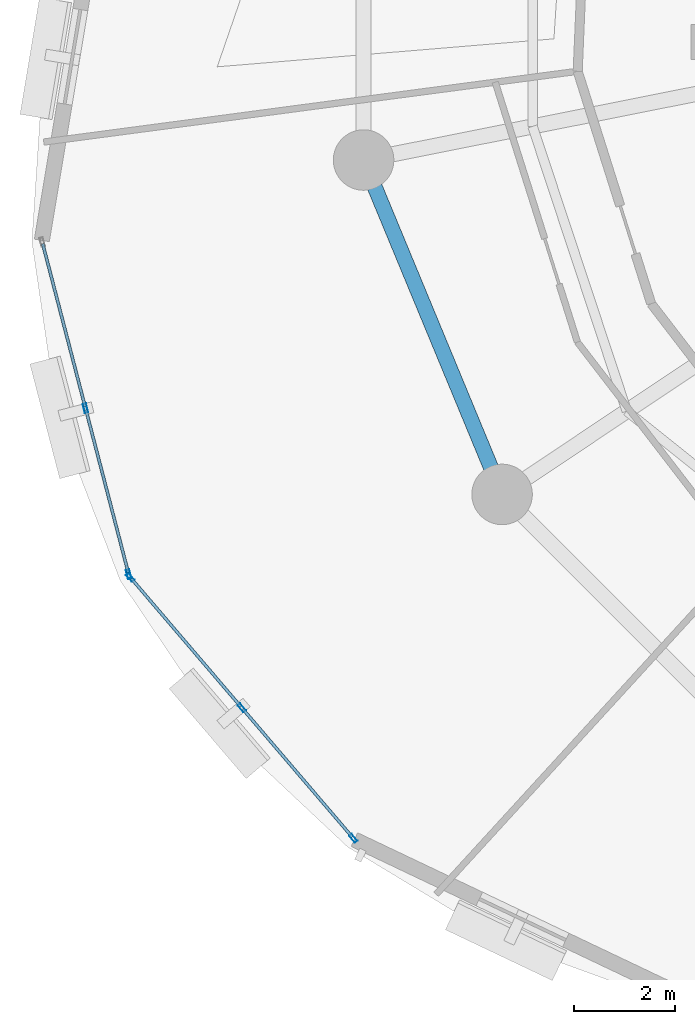
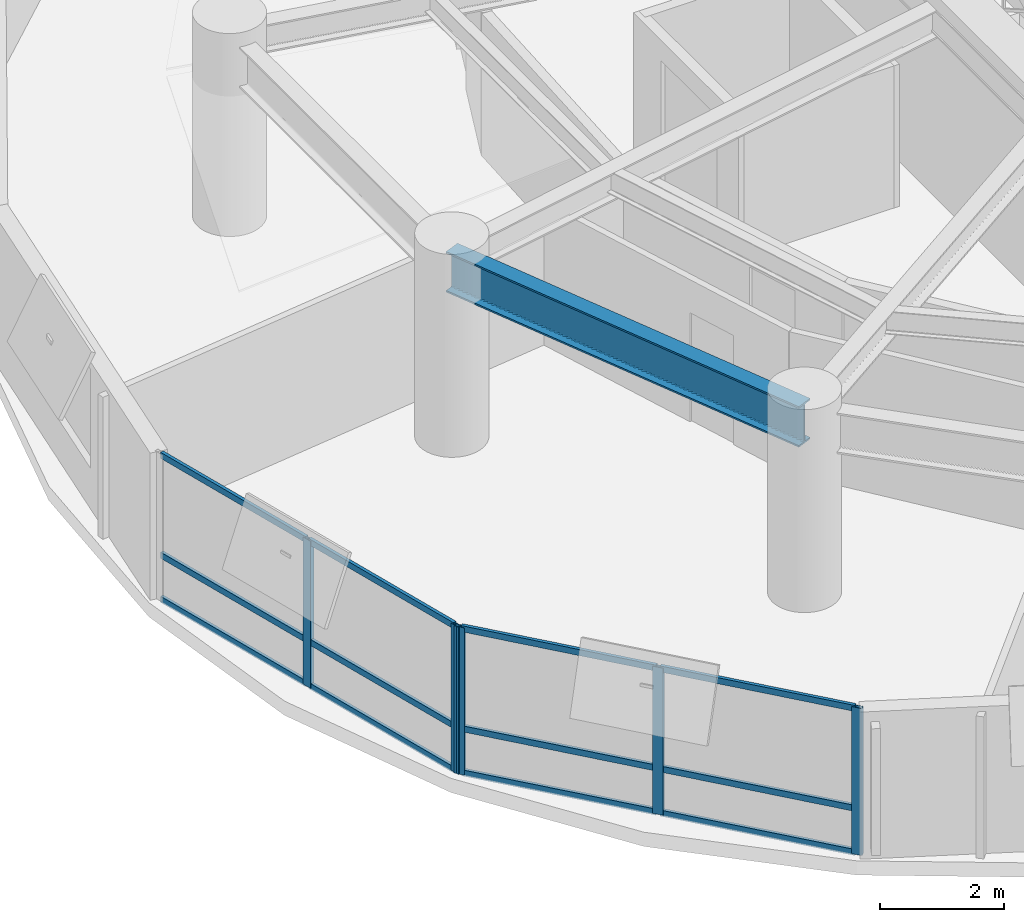
# One storey, part 2 of 14: 17 members, 1 beam, 2 elements without a shape of their own.
"""IFC4 building model written with IfcOpenShell, lengths in metres."""

from ifc_helpers import new_model, si_unit, direction, frame, origin, origin_2d, place, context, subcontext, project, spatial, hollow_rectangle, i_section, extrude, material, layer, layer_set, material_profile, profile_set, type_object, element, aggregate, save


model = new_model("IFC4")

# Units and contexts
model_context = context("Model", 3, precision=1e-05, world=origin(), true_north=direction((0.0, 1.0)))
body_context = subcontext(model_context, "Body", "Model", "MODEL_VIEW")
ifc_project = project(units=[si_unit("LENGTHUNIT", "METRE"), si_unit("AREAUNIT", "SQUARE_METRE"), si_unit("VOLUMEUNIT", "CUBIC_METRE"), si_unit("PLANEANGLEUNIT", "RADIAN"), si_unit("MASSUNIT", "GRAM", prefix="KILO"), si_unit("THERMODYNAMICTEMPERATUREUNIT", "KELVIN"), si_unit("POWERUNIT", "WATT")], contexts=[model_context])

# Site, building, storey
site_placement = place(None, origin())
site = spatial("IfcSite", under=ifc_project, at=site_placement, CompositionType="ELEMENT")
building_placement = place(site_placement, origin())
building = spatial("IfcBuilding", under=site, at=building_placement, Name="Ocrelia Relay Tower", CompositionType="ELEMENT")
storey_placement = place(building_placement, frame((0.0, 0.0, 149.800048828125)))
storey = spatial("IfcBuildingStorey", under=building, at=storey_placement, Name="L35", CompositionType="ELEMENT", Elevation=149.800048828125)

# Beam
ifc_material_1 = material(Name="Steel S355", Category="steel")
ifc_material_profile_1 = material_profile(ifc_material_1, i_section(OverallWidth=0.300048828125, OverallDepth=0.800048828125, WebThickness=0.017578125, FlangeThickness=0.032958984375, FilletRadius=0.030029296875, at=origin_2d()), Name="HEB 800")
ifc_profile_set_1 = profile_set([ifc_material_profile_1], Name="Steel S355")
beam_type = type_object("IfcBeamType", Name="BM-HEB800", PredefinedType="BEAM", material=ifc_profile_set_1)
beam_placement = place(storey_placement, frame((15.95361328125, 22.410400390625, 3.320068359375), z_axis=(0.382673155247, -0.923883789366, 0.0), x_axis=(0.923883789366, 0.382673155247, 0.0)))
element("IfcBeam", 1, at=beam_placement, inside=storey, type_object=beam_type, Name="L35 Perimeter Spandrel Beam S09", PredefinedType="BEAM", context=body_context, shape_type="SweptSolid", body=[
    extrude(i_section(OverallWidth=0.300048828125, OverallDepth=0.800048828125, WebThickness=0.017578125, FlangeThickness=0.032958984375, FilletRadius=0.030029296875, at=origin_2d()), origin(), (0.0, 0.0, 1.0), 7.17919921875),
])

# Curtain wall, members
ifc_material_2 = material(Name="Aluminium and solar-control low-E glass", Category="aluminium")
ifc_layer = layer(ifc_material_2, 0.179931640625, Name="Aluminium and solar-control low-E glass")
ifc_layer_set = layer_set([ifc_layer], Name="Aluminium and solar-control low-E glass")
curtain_wall_type = type_object("IfcCurtainWallType", Name="CW-SYS-Z2-SWIT", PredefinedType="NOTDEFINED", material=ifc_layer_set)
curtain_wall_1_placement = place(storey_placement, origin())
curtain_wall_1 = element("IfcCurtainWall", 2, at=curtain_wall_1_placement, inside=storey, type_object=curtain_wall_type, Name="L35 Elliptical Tower Curtain Wall Bay 09", PredefinedType="NOTDEFINED")
ifc_material_3 = material(Name="Anodised bronze aluminium", Category="aluminium")
ifc_material_profile_2 = material_profile(ifc_material_3, hollow_rectangle(XDim=0.070068359375, YDim=0.179931640625, WallThickness=0.006103515625, at=origin_2d()), Name="CW-MUL-180x70")
ifc_profile_set_2 = profile_set([ifc_material_profile_2], Name="Anodised bronze aluminium")
member_type_1 = type_object("IfcMemberType", Name="CW-SYS-Z2-SWIT-MUL", PredefinedType="MULLION", material=ifc_profile_set_2)
member_1_placement = place(storey_placement, frame((10.43701171875, 17.48828125, 0.0), z_axis=(0.0, 0.0, 1.0), x_axis=(0.967796870511, 0.251732432216, 0.0)))
member_1 = element("IfcMember", 3, at=member_1_placement, type_object=member_type_1, Name="CW-Z2 mullion 2", PredefinedType="MULLION", context=body_context, shape_type="SweptSolid", body=[
    extrude(hollow_rectangle(XDim=0.070068359375, YDim=0.179931640625, WallThickness=0.006103515625, at=origin_2d()), origin(), (0.0, 0.0, 1.0), 2.89990234375),
])
member_2_placement = place(storey_placement, frame((11.2939453125, 14.193359375, 0.0), z_axis=(0.0, 0.0, 1.0), x_axis=(0.967796870511, 0.251732432216, 0.0)))
member_2 = element("IfcMember", 4, at=member_2_placement, type_object=member_type_1, Name="CW-Z2 mullion 3", PredefinedType="MULLION", context=body_context, shape_type="SweptSolid", body=[
    extrude(hollow_rectangle(XDim=0.070068359375, YDim=0.179931640625, WallThickness=0.006103515625, at=origin_2d()), origin(), (0.0, 0.0, 1.0), 2.89990234375),
])

curtain_wall_2_placement = place(storey_placement, origin())
curtain_wall_2 = element("IfcCurtainWall", 5, at=curtain_wall_2_placement, inside=storey, type_object=curtain_wall_type, Name="L35 Elliptical Tower Curtain Wall Bay 10", PredefinedType="NOTDEFINED")
member_3_placement = place(storey_placement, frame((11.325439453125, 14.1328125, 0.0), z_axis=(0.0, 0.0, 1.0), x_axis=(0.760185496436, 0.649706095868, 0.0)))
member_3 = element("IfcMember", 6, at=member_3_placement, type_object=member_type_1, Name="CW-Z2 mullion 1", PredefinedType="MULLION", context=body_context, shape_type="SweptSolid", body=[
    extrude(hollow_rectangle(XDim=0.070068359375, YDim=0.179931640625, WallThickness=0.006103515625, at=origin_2d()), origin(), (0.0, 0.0, 1.0), 2.89990234375),
])
member_4_placement = place(storey_placement, frame((13.53759765625, 11.544677734375, 0.0), z_axis=(0.0, 0.0, 1.0), x_axis=(0.760185496436, 0.649706095868, 0.0)))
member_4 = element("IfcMember", 7, at=member_4_placement, type_object=member_type_1, Name="CW-Z2 mullion 2", PredefinedType="MULLION", context=body_context, shape_type="SweptSolid", body=[
    extrude(hollow_rectangle(XDim=0.070068359375, YDim=0.179931640625, WallThickness=0.006103515625, at=origin_2d()), origin(), (0.0, 0.0, 1.0), 2.89990234375),
])
member_5_placement = place(storey_placement, frame((15.74951171875, 8.95654296875, 0.0), z_axis=(0.0, 0.0, 1.0), x_axis=(0.760185496436, 0.649706095868, 0.0)))
member_5 = element("IfcMember", 8, at=member_5_placement, type_object=member_type_1, Name="CW-Z2 mullion 3", PredefinedType="MULLION", context=body_context, shape_type="SweptSolid", body=[
    extrude(hollow_rectangle(XDim=0.070068359375, YDim=0.179931640625, WallThickness=0.006103515625, at=origin_2d()), origin(), (0.0, 0.0, 1.0), 2.89990234375),
])

# Member
ifc_material_profile_3 = material_profile(ifc_material_3, hollow_rectangle(XDim=0.06005859375, YDim=0.1201171875, WallThickness=0.0048828125, at=origin_2d()), Name="CW-TRN-120x60")
ifc_profile_set_3 = profile_set([ifc_material_profile_3], Name="Anodised bronze aluminium")
member_type_2 = type_object("IfcMemberType", Name="CW-SYS-Z2-SWIT-TRN", PredefinedType="USERDEFINED", material=ifc_profile_set_3)
member_6_placement = place(storey_placement, frame((9.588623046875, 20.749267578125, 0.030029296875), z_axis=(0.251775115616, -0.96778576718, 0.0), x_axis=(0.96778576718, 0.251775115616, 0.0)))
member_6 = element("IfcMember", 9, at=member_6_placement, type_object=member_type_2, Name="CW-Z2 transom 1.1", ObjectType="TRANSOM", PredefinedType="USERDEFINED", context=body_context, shape_type="SweptSolid", body=[
    extrude(hollow_rectangle(XDim=0.06005859375, YDim=0.1201171875, WallThickness=0.0048828125, at=origin_2d()), origin(), (0.0, 0.0, 1.0), 3.334716796875),
])

member_7_placement = place(storey_placement, frame((9.588623046875, 20.749267578125, 0.89990234375), z_axis=(0.251775115616, -0.96778576718, 0.0), x_axis=(0.96778576718, 0.251775115616, 0.0)))
member_7 = element("IfcMember", 10, at=member_7_placement, type_object=member_type_2, Name="CW-Z2 transom 1.2", ObjectType="TRANSOM", PredefinedType="USERDEFINED", context=body_context, shape_type="SweptSolid", body=[
    extrude(hollow_rectangle(XDim=0.06005859375, YDim=0.1201171875, WallThickness=0.0048828125, at=origin_2d()), origin(), (0.0, 0.0, 1.0), 3.334716796875),
])

member_8_placement = place(storey_placement, frame((9.588623046875, 20.749267578125, 2.869873046875), z_axis=(0.251775115616, -0.96778576718, 0.0), x_axis=(0.96778576718, 0.251775115616, 0.0)))
member_8 = element("IfcMember", 11, at=member_8_placement, type_object=member_type_2, Name="CW-Z2 transom 1.3", ObjectType="TRANSOM", PredefinedType="USERDEFINED", context=body_context, shape_type="SweptSolid", body=[
    extrude(hollow_rectangle(XDim=0.06005859375, YDim=0.1201171875, WallThickness=0.0048828125, at=origin_2d()), origin(), (0.0, 0.0, 1.0), 3.334716796875),
])

member_9_placement = place(storey_placement, frame((10.44580078125, 17.454345703125, 0.030029296875), z_axis=(0.25170654294, -0.967803604168, 0.0), x_axis=(0.967803604168, 0.25170654294, 0.0)))
member_9 = element("IfcMember", 12, at=member_9_placement, type_object=member_type_2, Name="CW-Z2 transom 2.1", ObjectType="TRANSOM", PredefinedType="USERDEFINED", context=body_context, shape_type="SweptSolid", body=[
    extrude(hollow_rectangle(XDim=0.06005859375, YDim=0.1201171875, WallThickness=0.0048828125, at=origin_2d()), origin(), (0.0, 0.0, 1.0), 3.334716796875),
])

member_10_placement = place(storey_placement, frame((10.44580078125, 17.454345703125, 0.89990234375), z_axis=(0.25170654294, -0.967803604168, 0.0), x_axis=(0.967803604168, 0.25170654294, 0.0)))
member_10 = element("IfcMember", 13, at=member_10_placement, type_object=member_type_2, Name="CW-Z2 transom 2.2", ObjectType="TRANSOM", PredefinedType="USERDEFINED", context=body_context, shape_type="SweptSolid", body=[
    extrude(hollow_rectangle(XDim=0.06005859375, YDim=0.1201171875, WallThickness=0.0048828125, at=origin_2d()), origin(), (0.0, 0.0, 1.0), 3.334716796875),
])

member_11_placement = place(storey_placement, frame((10.44580078125, 17.454345703125, 2.869873046875), z_axis=(0.25170654294, -0.967803604168, 0.0), x_axis=(0.967803604168, 0.25170654294, 0.0)))
member_11 = element("IfcMember", 14, at=member_11_placement, type_object=member_type_2, Name="CW-Z2 transom 2.3", ObjectType="TRANSOM", PredefinedType="USERDEFINED", context=body_context, shape_type="SweptSolid", body=[
    extrude(hollow_rectangle(XDim=0.06005859375, YDim=0.1201171875, WallThickness=0.0048828125, at=origin_2d()), origin(), (0.0, 0.0, 1.0), 3.334716796875),
])

aggregate(curtain_wall_1, [member_1, member_2, member_6, member_7, member_8, member_9, member_10, member_11])

member_12_placement = place(storey_placement, frame((11.348388671875, 14.106201171875, 0.030029296875), z_axis=(0.649663098981, -0.760222242389, 0.0), x_axis=(0.760222242389, 0.649663098981, 0.0)))
member_12 = element("IfcMember", 15, at=member_12_placement, type_object=member_type_2, Name="CW-Z2 transom 1.1", ObjectType="TRANSOM", PredefinedType="USERDEFINED", context=body_context, shape_type="SweptSolid", body=[
    extrude(hollow_rectangle(XDim=0.06005859375, YDim=0.1201171875, WallThickness=0.0048828125, at=origin_2d()), origin(), (0.0, 0.0, 1.0), 3.33447265625),
])

member_13_placement = place(storey_placement, frame((11.348388671875, 14.106201171875, 0.89990234375), z_axis=(0.649663098981, -0.760222242389, 0.0), x_axis=(0.760222242389, 0.649663098981, 0.0)))
member_13 = element("IfcMember", 16, at=member_13_placement, type_object=member_type_2, Name="CW-Z2 transom 1.2", ObjectType="TRANSOM", PredefinedType="USERDEFINED", context=body_context, shape_type="SweptSolid", body=[
    extrude(hollow_rectangle(XDim=0.06005859375, YDim=0.1201171875, WallThickness=0.0048828125, at=origin_2d()), origin(), (0.0, 0.0, 1.0), 3.33447265625),
])

member_14_placement = place(storey_placement, frame((11.348388671875, 14.106201171875, 2.869873046875), z_axis=(0.649663098981, -0.760222242389, 0.0), x_axis=(0.760222242389, 0.649663098981, 0.0)))
member_14 = element("IfcMember", 17, at=member_14_placement, type_object=member_type_2, Name="CW-Z2 transom 1.3", ObjectType="TRANSOM", PredefinedType="USERDEFINED", context=body_context, shape_type="SweptSolid", body=[
    extrude(hollow_rectangle(XDim=0.06005859375, YDim=0.1201171875, WallThickness=0.0048828125, at=origin_2d()), origin(), (0.0, 0.0, 1.0), 3.33447265625),
])

member_15_placement = place(storey_placement, frame((13.560302734375, 11.51806640625, 0.030029296875), z_axis=(0.649705411402, -0.760186081427, 0.0), x_axis=(0.760186081427, 0.649705411402, 0.0)))
member_15 = element("IfcMember", 18, at=member_15_placement, type_object=member_type_2, Name="CW-Z2 transom 2.1", ObjectType="TRANSOM", PredefinedType="USERDEFINED", context=body_context, shape_type="SweptSolid", body=[
    extrude(hollow_rectangle(XDim=0.06005859375, YDim=0.1201171875, WallThickness=0.0048828125, at=origin_2d()), origin(), (0.0, 0.0, 1.0), 3.33447265625),
])

member_16_placement = place(storey_placement, frame((13.560302734375, 11.51806640625, 0.89990234375), z_axis=(0.649705411402, -0.760186081427, 0.0), x_axis=(0.760186081427, 0.649705411402, 0.0)))
member_16 = element("IfcMember", 19, at=member_16_placement, type_object=member_type_2, Name="CW-Z2 transom 2.2", ObjectType="TRANSOM", PredefinedType="USERDEFINED", context=body_context, shape_type="SweptSolid", body=[
    extrude(hollow_rectangle(XDim=0.06005859375, YDim=0.1201171875, WallThickness=0.0048828125, at=origin_2d()), origin(), (0.0, 0.0, 1.0), 3.33447265625),
])

member_17_placement = place(storey_placement, frame((13.560302734375, 11.51806640625, 2.869873046875), z_axis=(0.649705411402, -0.760186081427, 0.0), x_axis=(0.760186081427, 0.649705411402, 0.0)))
member_17 = element("IfcMember", 20, at=member_17_placement, type_object=member_type_2, Name="CW-Z2 transom 2.3", ObjectType="TRANSOM", PredefinedType="USERDEFINED", context=body_context, shape_type="SweptSolid", body=[
    extrude(hollow_rectangle(XDim=0.06005859375, YDim=0.1201171875, WallThickness=0.0048828125, at=origin_2d()), origin(), (0.0, 0.0, 1.0), 3.33447265625),
])

aggregate(curtain_wall_2, [member_3, member_4, member_5, member_12, member_13, member_14, member_15, member_16, member_17])

save(model, "model.ifc")
